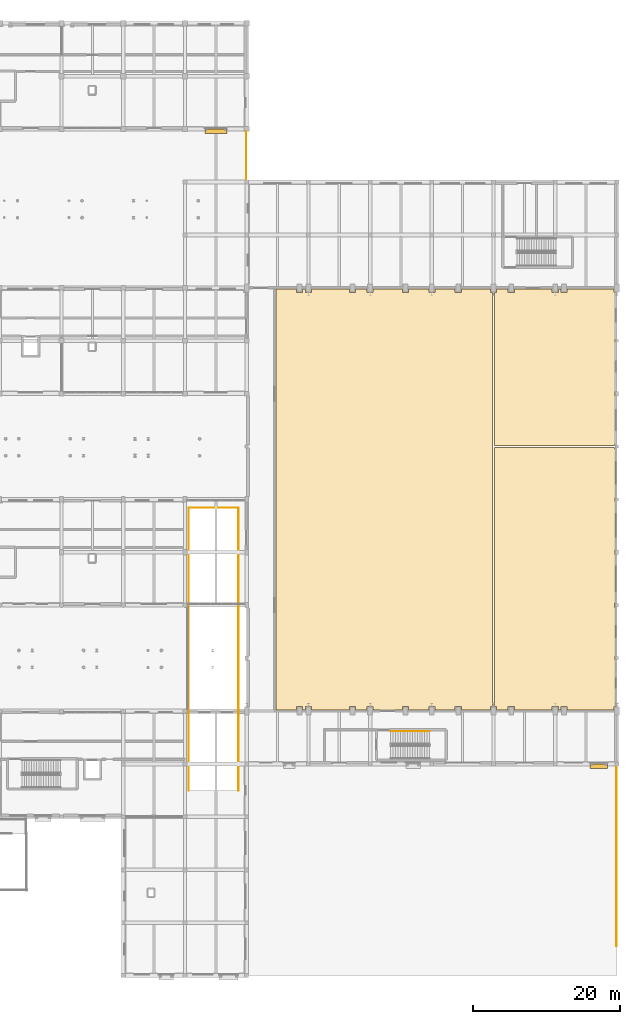
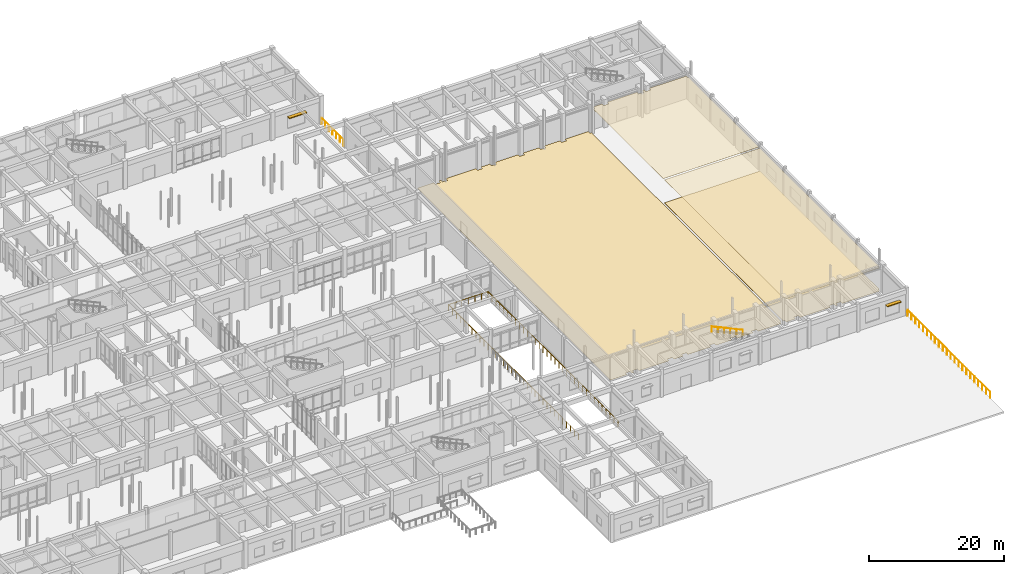
# One storey, part 118 of 121: 4 coverings, 4 railings, 2 shading devices.
"""IFC4 building model written with IfcOpenShell, lengths in metres."""

from ifc_helpers import new_model, si_unit, direction, frame, origin, origin_2d, place, context, subcontext, project, spatial, polyline, rectangle, circle, outline, extrude, material, layer, layer_set, type_object, element, save


model = new_model("IFC4")

# Units and contexts
model_context = context("Model", 3, precision=1e-05, world=origin(), true_north=direction((0.0, 1.0)))
body_context = subcontext(model_context, "Body", "Model", "MODEL_VIEW")
ifc_project = project(units=[si_unit("LENGTHUNIT", "METRE"), si_unit("AREAUNIT", "SQUARE_METRE"), si_unit("VOLUMEUNIT", "CUBIC_METRE"), si_unit("PLANEANGLEUNIT", "RADIAN"), si_unit("MASSUNIT", "GRAM", prefix="KILO")], contexts=[model_context])

# Site, building, storey
site_placement = place(None, origin())
site = spatial("IfcSite", under=ifc_project, at=site_placement, CompositionType="ELEMENT")
building_placement = place(site_placement, origin())
building = spatial("IfcBuilding", under=site, at=building_placement, Name="Malvenik Polytechnic", CompositionType="ELEMENT")
storey_placement = place(building_placement, origin())
storey = spatial("IfcBuildingStorey", under=building, at=storey_placement, Name="L00", CompositionType="ELEMENT", Elevation=0.0)

# Coverings
ifc_material_1 = material(Name="Perforated mineral-fibre acoustic suspended ceiling 600x600", Category="gypsum")
ifc_layer_1 = layer(ifc_material_1, 0.02490234375)
ifc_layer_set_1 = layer_set([ifc_layer_1], Name="Perforated mineral-fibre acoustic suspended ceiling 600x600")
covering_type_1 = type_object("IfcCoveringType", Name="ARC-COV-CEIL-AC", PredefinedType="CEILING", material=ifc_layer_set_1)
covering_1_placement = place(storey_placement, frame((0.0, 0.0, 4.1650390625)))
element("IfcCovering", 1, at=covering_1_placement, inside=storey, type_object=covering_type_1, Name="Acoustic Ceiling L00 High-Bay Structural Frame Testing Hall", PredefinedType="CEILING", context=body_context, shape_type="SweptSolid", body=[
    extrude(outline(polyline([(184.485107421875, 71.68505859375), (184.580078125, 71.68505859375), (184.580078125, 65.090087890625), (184.510009765625, 65.090087890625), (184.510009765625, 64.510009765625), (184.580078125, 64.510009765625), (184.580078125, 57.989990234375), (184.510009765625, 57.989990234375), (184.510009765625, 57.2099609375), (184.580078125, 57.2099609375), (184.580078125, 50.715087890625), (184.485107421875, 50.715087890625), (184.485107421875, 50.0849609375), (184.580078125, 50.0849609375), (184.580078125, 43.489990234375), (184.510009765625, 43.489990234375), (184.510009765625, 42.909912109375), (184.580078125, 42.909912109375), (184.580078125, 36.639892578125), (184.385009765625, 36.639892578125), (184.385009765625, 36.159912109375), (178.014892578125, 36.159912109375), (178.014892578125, 36.639892578125), (177.18505859375, 36.639892578125), (177.18505859375, 36.159912109375), (176.81494140625, 36.159912109375), (176.81494140625, 36.639892578125), (175.985107421875, 36.639892578125), (175.985107421875, 36.159912109375), (170.81494140625, 36.159912109375), (170.81494140625, 36.639892578125), (169.985107421875, 36.639892578125), (169.985107421875, 36.159912109375), (168.4150390625, 36.159912109375), (168.4150390625, 36.639892578125), (168.159912109375, 36.639892578125), (168.159912109375, 71.840087890625), (184.485107421875, 71.840087890625), (184.485107421875, 71.68505859375)])), origin(), (0.0, 0.0, 1.0), 0.02490234375),
])
covering_2_placement = place(storey_placement, frame((0.0, 0.0, 4.1650390625)))
element("IfcCovering", 2, at=covering_2_placement, inside=storey, type_object=covering_type_1, Name="Acoustic Ceiling L00 Heavy Delivery Loading Dock", PredefinedType="CEILING", context=body_context, shape_type="SweptSolid", body=[
    extrude(outline(polyline([(169.985107421875, 92.9599609375), (170.81494140625, 92.9599609375), (170.81494140625, 93.43994140625), (175.985107421875, 93.43994140625), (175.985107421875, 92.9599609375), (176.81494140625, 92.9599609375), (176.81494140625, 93.43994140625), (177.18505859375, 93.43994140625), (177.18505859375, 92.9599609375), (178.014892578125, 92.9599609375), (178.014892578125, 93.43994140625), (184.385009765625, 93.43994140625), (184.385009765625, 92.9599609375), (184.580078125, 92.9599609375), (184.580078125, 86.68994140625), (184.510009765625, 86.68994140625), (184.510009765625, 86.110107421875), (184.580078125, 86.110107421875), (184.580078125, 79.590087890625), (184.510009765625, 79.590087890625), (184.510009765625, 78.81005859375), (184.580078125, 78.81005859375), (184.580078125, 72.31494140625), (184.485107421875, 72.31494140625), (184.485107421875, 72.159912109375), (168.159912109375, 72.159912109375), (168.159912109375, 92.9599609375), (168.4150390625, 92.9599609375), (168.4150390625, 93.43994140625), (169.985107421875, 93.43994140625), (169.985107421875, 92.9599609375)])), origin(), (0.0, 0.0, 1.0), 0.02490234375),
])
ifc_material_2 = material(Name="Polished Danube aggregate terrazzo flooring 20mm", Category="stone")
ifc_layer_2 = layer(ifc_material_2, 0.02001953125)
ifc_layer_set_2 = layer_set([ifc_layer_2], Name="Polished Danube aggregate terrazzo flooring 20mm")
covering_type_2 = type_object("IfcCoveringType", Name="ARC-COV-FLR-TER", PredefinedType="FLOORING", material=ifc_layer_set_2)
covering_3_placement = place(storey_placement, origin())
element("IfcCovering", 3, at=covering_3_placement, inside=storey, type_object=covering_type_2, Name="Floor Finish FLR-01 L00 Heavy Machining and CNC Crane Workshop Hall", PredefinedType="FLOORING", context=body_context, shape_type="SweptSolid", body=[
    extrude(outline(polyline([(141.18505859375, 92.9599609375), (142.014892578125, 92.9599609375), (142.014892578125, 93.43994140625), (142.385009765625, 93.43994140625), (142.385009765625, 92.9599609375), (143.215087890625, 92.9599609375), (143.215087890625, 93.43994140625), (148.385009765625, 93.43994140625), (148.385009765625, 92.9599609375), (149.215087890625, 92.9599609375), (149.215087890625, 93.43994140625), (150.784912109375, 93.43994140625), (150.784912109375, 92.9599609375), (151.614990234375, 92.9599609375), (151.614990234375, 93.43994140625), (155.5849609375, 93.43994140625), (155.5849609375, 92.9599609375), (156.4150390625, 92.9599609375), (156.4150390625, 93.43994140625), (159.18505859375, 93.43994140625), (159.18505859375, 92.9599609375), (160.014892578125, 92.9599609375), (160.014892578125, 93.43994140625), (162.784912109375, 93.43994140625), (162.784912109375, 92.9599609375), (163.614990234375, 92.9599609375), (163.614990234375, 93.43994140625), (167.5849609375, 93.43994140625), (167.5849609375, 92.9599609375), (167.840087890625, 92.9599609375), (167.840087890625, 36.639892578125), (167.5849609375, 36.639892578125), (167.5849609375, 36.159912109375), (163.614990234375, 36.159912109375), (163.614990234375, 36.639892578125), (162.784912109375, 36.639892578125), (162.784912109375, 36.159912109375), (160.014892578125, 36.159912109375), (160.014892578125, 36.639892578125), (159.18505859375, 36.639892578125), (159.18505859375, 36.159912109375), (156.4150390625, 36.159912109375), (156.4150390625, 36.639892578125), (155.5849609375, 36.639892578125), (155.5849609375, 36.159912109375), (151.614990234375, 36.159912109375), (151.614990234375, 36.639892578125), (150.784912109375, 36.639892578125), (150.784912109375, 36.159912109375), (149.215087890625, 36.159912109375), (149.215087890625, 36.639892578125), (148.385009765625, 36.639892578125), (148.385009765625, 36.159912109375), (143.215087890625, 36.159912109375), (143.215087890625, 36.639892578125), (142.385009765625, 36.639892578125), (142.385009765625, 36.159912109375), (142.014892578125, 36.159912109375), (142.014892578125, 36.639892578125), (141.18505859375, 36.639892578125), (141.18505859375, 36.159912109375), (138.360107421875, 36.159912109375), (138.360107421875, 93.43994140625), (141.18505859375, 93.43994140625), (141.18505859375, 92.9599609375)])), origin(), (0.0, 0.0, 1.0), 0.02001953125),
])
covering_4_placement = place(storey_placement, origin())
element("IfcCovering", 4, at=covering_4_placement, inside=storey, type_object=covering_type_2, Name="Floor Finish FLR-01 L00 High-Bay Structural Frame Testing Hall", PredefinedType="FLOORING", context=body_context, shape_type="SweptSolid", body=[
    extrude(outline(polyline([(184.485107421875, 71.68505859375), (184.580078125, 71.68505859375), (184.580078125, 65.090087890625), (184.510009765625, 65.090087890625), (184.510009765625, 64.510009765625), (184.580078125, 64.510009765625), (184.580078125, 57.989990234375), (184.510009765625, 57.989990234375), (184.510009765625, 57.2099609375), (184.580078125, 57.2099609375), (184.580078125, 50.715087890625), (184.485107421875, 50.715087890625), (184.485107421875, 50.0849609375), (184.580078125, 50.0849609375), (184.580078125, 43.489990234375), (184.510009765625, 43.489990234375), (184.510009765625, 42.909912109375), (184.580078125, 42.909912109375), (184.580078125, 36.639892578125), (184.385009765625, 36.639892578125), (184.385009765625, 36.159912109375), (178.014892578125, 36.159912109375), (178.014892578125, 36.639892578125), (177.18505859375, 36.639892578125), (177.18505859375, 36.159912109375), (176.81494140625, 36.159912109375), (176.81494140625, 36.639892578125), (175.985107421875, 36.639892578125), (175.985107421875, 36.159912109375), (170.81494140625, 36.159912109375), (170.81494140625, 36.639892578125), (169.985107421875, 36.639892578125), (169.985107421875, 36.159912109375), (168.4150390625, 36.159912109375), (168.4150390625, 36.639892578125), (168.159912109375, 36.639892578125), (168.159912109375, 71.840087890625), (184.485107421875, 71.840087890625), (184.485107421875, 71.68505859375)])), origin(), (0.0, 0.0, 1.0), 0.02001953125),
])

# Railings
ifc_material_3 = material(Name="Galvanised powder-coated steel and laminated glass guard 1150mm", Category="steel")
ifc_layer_3 = layer(ifc_material_3, 0.070068359375)
ifc_layer_set_3 = layer_set([ifc_layer_3], Name="Galvanised powder-coated steel and laminated glass guard 1150mm")
railing_type_1 = type_object("IfcRailingType", Name="ARC-RL-BAL-1150", PredefinedType="BALUSTRADE", material=ifc_layer_set_3)
railing_1_placement = place(storey_placement, frame((126.52001953125, 25.199951171875, 0.0)))
element("IfcRailing", 5, at=railing_1_placement, inside=storey, type_object=railing_type_1, Name="Vehicle Ramp Opening Perimeter Guard", PredefinedType="BALUSTRADE", context=body_context, shape_type="SweptSolid", body=[
    extrude(circle(Radius=0.02392578125, at=origin_2d()), frame((0.0, 0.0, 1.1259765625), z_axis=(0.0, 1.0, 0.0), x_axis=(-1.0, 0.0, 0.0)), (0.0, 0.0, 1.0), 38.47998046875),
    extrude(circle(Radius=0.02392578125, at=origin_2d()), frame((0.0, 38.47998046875, 1.1259765625), z_axis=(1.0, 0.0, 0.0), x_axis=(0.0, 1.0, 0.0)), (0.0, 0.0, 1.0), 6.760009765625),
    extrude(circle(Radius=0.02392578125, at=origin_2d()), frame((6.760009765625, 38.47998046875, 1.1259765625), z_axis=(0.0, -1.0, 0.0), x_axis=(1.0, 0.0, 0.0)), (0.0, 0.0, 1.0), 38.47998046875),
    extrude(circle(Radius=0.02099609375, at=origin_2d()), origin(), (0.0, 0.0, 1.0), 1.101806640625),
    extrude(circle(Radius=0.02099609375, at=origin_2d()), frame((0.0, 1.166015625, 0.0)), (0.0, 0.0, 1.0), 1.101806640625),
    extrude(circle(Radius=0.02099609375, at=origin_2d()), frame((0.0, 2.33203125, 0.0)), (0.0, 0.0, 1.0), 1.101806640625),
    extrude(circle(Radius=0.02099609375, at=origin_2d()), frame((0.0, 3.498291015625, 0.0)), (0.0, 0.0, 1.0), 1.101806640625),
    extrude(circle(Radius=0.02099609375, at=origin_2d()), frame((0.0, 4.664306640625, 0.0)), (0.0, 0.0, 1.0), 1.101806640625),
    extrude(circle(Radius=0.02099609375, at=origin_2d()), frame((0.0, 5.830322265625, 0.0)), (0.0, 0.0, 1.0), 1.101806640625),
    extrude(circle(Radius=0.02099609375, at=origin_2d()), frame((0.0, 6.996337890625, 0.0)), (0.0, 0.0, 1.0), 1.101806640625),
    extrude(circle(Radius=0.02099609375, at=origin_2d()), frame((0.0, 8.162353515625, 0.0)), (0.0, 0.0, 1.0), 1.101806640625),
    extrude(circle(Radius=0.02099609375, at=origin_2d()), frame((0.0, 9.328369140625, 0.0)), (0.0, 0.0, 1.0), 1.101806640625),
    extrude(circle(Radius=0.02099609375, at=origin_2d()), frame((0.0, 10.49462890625, 0.0)), (0.0, 0.0, 1.0), 1.101806640625),
    extrude(circle(Radius=0.02099609375, at=origin_2d()), frame((0.0, 11.66064453125, 0.0)), (0.0, 0.0, 1.0), 1.101806640625),
    extrude(circle(Radius=0.02099609375, at=origin_2d()), frame((0.0, 12.82666015625, 0.0)), (0.0, 0.0, 1.0), 1.101806640625),
    extrude(circle(Radius=0.02099609375, at=origin_2d()), frame((0.0, 13.99267578125, 0.0)), (0.0, 0.0, 1.0), 1.101806640625),
    extrude(circle(Radius=0.02099609375, at=origin_2d()), frame((0.0, 15.15869140625, 0.0)), (0.0, 0.0, 1.0), 1.101806640625),
    extrude(circle(Radius=0.02099609375, at=origin_2d()), frame((0.0, 16.324951171875, 0.0)), (0.0, 0.0, 1.0), 1.101806640625),
    extrude(circle(Radius=0.02099609375, at=origin_2d()), frame((0.0, 17.490966796875, 0.0)), (0.0, 0.0, 1.0), 1.101806640625),
    extrude(circle(Radius=0.02099609375, at=origin_2d()), frame((0.0, 18.656982421875, 0.0)), (0.0, 0.0, 1.0), 1.101806640625),
    extrude(circle(Radius=0.02099609375, at=origin_2d()), frame((0.0, 19.822998046875, 0.0)), (0.0, 0.0, 1.0), 1.101806640625),
    extrude(circle(Radius=0.02099609375, at=origin_2d()), frame((0.0, 20.989013671875, 0.0)), (0.0, 0.0, 1.0), 1.101806640625),
    extrude(circle(Radius=0.02099609375, at=origin_2d()), frame((0.0, 22.155029296875, 0.0)), (0.0, 0.0, 1.0), 1.101806640625),
    extrude(circle(Radius=0.02099609375, at=origin_2d()), frame((0.0, 23.3212890625, 0.0)), (0.0, 0.0, 1.0), 1.101806640625),
    extrude(circle(Radius=0.02099609375, at=origin_2d()), frame((0.0, 24.4873046875, 0.0)), (0.0, 0.0, 1.0), 1.101806640625),
    extrude(circle(Radius=0.02099609375, at=origin_2d()), frame((0.0, 25.6533203125, 0.0)), (0.0, 0.0, 1.0), 1.101806640625),
    extrude(circle(Radius=0.02099609375, at=origin_2d()), frame((0.0, 26.8193359375, 0.0)), (0.0, 0.0, 1.0), 1.101806640625),
    extrude(circle(Radius=0.02099609375, at=origin_2d()), frame((0.0, 27.9853515625, 0.0)), (0.0, 0.0, 1.0), 1.101806640625),
    extrude(circle(Radius=0.02099609375, at=origin_2d()), frame((0.0, 29.151611328125, 0.0)), (0.0, 0.0, 1.0), 1.101806640625),
    extrude(circle(Radius=0.02099609375, at=origin_2d()), frame((0.0, 30.317626953125, 0.0)), (0.0, 0.0, 1.0), 1.101806640625),
    extrude(circle(Radius=0.02099609375, at=origin_2d()), frame((0.0, 31.483642578125, 0.0)), (0.0, 0.0, 1.0), 1.101806640625),
    extrude(circle(Radius=0.02099609375, at=origin_2d()), frame((0.0, 32.649658203125, 0.0)), (0.0, 0.0, 1.0), 1.101806640625),
    extrude(circle(Radius=0.02099609375, at=origin_2d()), frame((0.0, 33.815673828125, 0.0)), (0.0, 0.0, 1.0), 1.101806640625),
    extrude(circle(Radius=0.02099609375, at=origin_2d()), frame((0.0, 34.981689453125, 0.0)), (0.0, 0.0, 1.0), 1.101806640625),
    extrude(circle(Radius=0.02099609375, at=origin_2d()), frame((0.0, 36.14794921875, 0.0)), (0.0, 0.0, 1.0), 1.101806640625),
    extrude(circle(Radius=0.02099609375, at=origin_2d()), frame((0.0, 37.31396484375, 0.0)), (0.0, 0.0, 1.0), 1.101806640625),
    extrude(circle(Radius=0.02099609375, at=origin_2d()), frame((0.0, 38.47998046875, 0.0)), (0.0, 0.0, 1.0), 1.101806640625),
    extrude(circle(Radius=0.02099609375, at=origin_2d()), frame((1.126708984375, 38.47998046875, 0.0)), (0.0, 0.0, 1.0), 1.101806640625),
    extrude(circle(Radius=0.02099609375, at=origin_2d()), frame((2.25341796875, 38.47998046875, 0.0)), (0.0, 0.0, 1.0), 1.101806640625),
    extrude(circle(Radius=0.02099609375, at=origin_2d()), frame((3.3798828125, 38.47998046875, 0.0)), (0.0, 0.0, 1.0), 1.101806640625),
    extrude(circle(Radius=0.02099609375, at=origin_2d()), frame((4.506591796875, 38.47998046875, 0.0)), (0.0, 0.0, 1.0), 1.101806640625),
    extrude(circle(Radius=0.02099609375, at=origin_2d()), frame((5.63330078125, 38.47998046875, 0.0)), (0.0, 0.0, 1.0), 1.101806640625),
    extrude(circle(Radius=0.02099609375, at=origin_2d()), frame((6.760009765625, 38.47998046875, 0.0)), (0.0, 0.0, 1.0), 1.101806640625),
    extrude(circle(Radius=0.02099609375, at=origin_2d()), frame((6.760009765625, 37.31396484375, 0.0)), (0.0, 0.0, 1.0), 1.101806640625),
    extrude(circle(Radius=0.02099609375, at=origin_2d()), frame((6.760009765625, 36.14794921875, 0.0)), (0.0, 0.0, 1.0), 1.101806640625),
    extrude(circle(Radius=0.02099609375, at=origin_2d()), frame((6.760009765625, 34.981689453125, 0.0)), (0.0, 0.0, 1.0), 1.101806640625),
    extrude(circle(Radius=0.02099609375, at=origin_2d()), frame((6.760009765625, 33.815673828125, 0.0)), (0.0, 0.0, 1.0), 1.101806640625),
    extrude(circle(Radius=0.02099609375, at=origin_2d()), frame((6.760009765625, 32.649658203125, 0.0)), (0.0, 0.0, 1.0), 1.101806640625),
    extrude(circle(Radius=0.02099609375, at=origin_2d()), frame((6.760009765625, 31.483642578125, 0.0)), (0.0, 0.0, 1.0), 1.101806640625),
    extrude(circle(Radius=0.02099609375, at=origin_2d()), frame((6.760009765625, 30.317626953125, 0.0)), (0.0, 0.0, 1.0), 1.101806640625),
    extrude(circle(Radius=0.02099609375, at=origin_2d()), frame((6.760009765625, 29.151611328125, 0.0)), (0.0, 0.0, 1.0), 1.101806640625),
    extrude(circle(Radius=0.02099609375, at=origin_2d()), frame((6.760009765625, 27.9853515625, 0.0)), (0.0, 0.0, 1.0), 1.101806640625),
    extrude(circle(Radius=0.02099609375, at=origin_2d()), frame((6.760009765625, 26.8193359375, 0.0)), (0.0, 0.0, 1.0), 1.101806640625),
    extrude(circle(Radius=0.02099609375, at=origin_2d()), frame((6.760009765625, 25.6533203125, 0.0)), (0.0, 0.0, 1.0), 1.101806640625),
    extrude(circle(Radius=0.02099609375, at=origin_2d()), frame((6.760009765625, 24.4873046875, 0.0)), (0.0, 0.0, 1.0), 1.101806640625),
    extrude(circle(Radius=0.02099609375, at=origin_2d()), frame((6.760009765625, 23.3212890625, 0.0)), (0.0, 0.0, 1.0), 1.101806640625),
    extrude(circle(Radius=0.02099609375, at=origin_2d()), frame((6.760009765625, 22.155029296875, 0.0)), (0.0, 0.0, 1.0), 1.101806640625),
    extrude(circle(Radius=0.02099609375, at=origin_2d()), frame((6.760009765625, 20.989013671875, 0.0)), (0.0, 0.0, 1.0), 1.101806640625),
    extrude(circle(Radius=0.02099609375, at=origin_2d()), frame((6.760009765625, 19.822998046875, 0.0)), (0.0, 0.0, 1.0), 1.101806640625),
    extrude(circle(Radius=0.02099609375, at=origin_2d()), frame((6.760009765625, 18.656982421875, 0.0)), (0.0, 0.0, 1.0), 1.101806640625),
    extrude(circle(Radius=0.02099609375, at=origin_2d()), frame((6.760009765625, 17.490966796875, 0.0)), (0.0, 0.0, 1.0), 1.101806640625),
    extrude(circle(Radius=0.02099609375, at=origin_2d()), frame((6.760009765625, 16.324951171875, 0.0)), (0.0, 0.0, 1.0), 1.101806640625),
    extrude(circle(Radius=0.02099609375, at=origin_2d()), frame((6.760009765625, 15.15869140625, 0.0)), (0.0, 0.0, 1.0), 1.101806640625),
    extrude(circle(Radius=0.02099609375, at=origin_2d()), frame((6.760009765625, 13.99267578125, 0.0)), (0.0, 0.0, 1.0), 1.101806640625),
    extrude(circle(Radius=0.02099609375, at=origin_2d()), frame((6.760009765625, 12.82666015625, 0.0)), (0.0, 0.0, 1.0), 1.101806640625),
    extrude(circle(Radius=0.02099609375, at=origin_2d()), frame((6.760009765625, 11.66064453125, 0.0)), (0.0, 0.0, 1.0), 1.101806640625),
    extrude(circle(Radius=0.02099609375, at=origin_2d()), frame((6.760009765625, 10.49462890625, 0.0)), (0.0, 0.0, 1.0), 1.101806640625),
    extrude(circle(Radius=0.02099609375, at=origin_2d()), frame((6.760009765625, 9.328369140625, 0.0)), (0.0, 0.0, 1.0), 1.101806640625),
    extrude(circle(Radius=0.02099609375, at=origin_2d()), frame((6.760009765625, 8.162353515625, 0.0)), (0.0, 0.0, 1.0), 1.101806640625),
    extrude(circle(Radius=0.02099609375, at=origin_2d()), frame((6.760009765625, 6.996337890625, 0.0)), (0.0, 0.0, 1.0), 1.101806640625),
    extrude(circle(Radius=0.02099609375, at=origin_2d()), frame((6.760009765625, 5.830322265625, 0.0)), (0.0, 0.0, 1.0), 1.101806640625),
    extrude(circle(Radius=0.02099609375, at=origin_2d()), frame((6.760009765625, 4.664306640625, 0.0)), (0.0, 0.0, 1.0), 1.101806640625),
    extrude(circle(Radius=0.02099609375, at=origin_2d()), frame((6.760009765625, 3.498291015625, 0.0)), (0.0, 0.0, 1.0), 1.101806640625),
    extrude(circle(Radius=0.02099609375, at=origin_2d()), frame((6.760009765625, 2.33203125, 0.0)), (0.0, 0.0, 1.0), 1.101806640625),
    extrude(circle(Radius=0.02099609375, at=origin_2d()), frame((6.760009765625, 1.166015625, 0.0)), (0.0, 0.0, 1.0), 1.101806640625),
    extrude(circle(Radius=0.02099609375, at=origin_2d()), frame((6.760009765625, 0.0, 0.0)), (0.0, 0.0, 1.0), 1.101806640625),
])
railing_2_placement = place(storey_placement, frame((184.739990234375, 28.47998046875, 0.0)))
element("IfcRailing", 6, at=railing_2_placement, inside=storey, type_object=railing_type_1, Name="Terrace Perimeter Balustrade L00 #1", PredefinedType="BALUSTRADE", context=body_context, shape_type="SweptSolid", body=[
    extrude(circle(Radius=0.02392578125, at=origin_2d()), frame((0.0, 0.0, 1.1259765625), z_axis=(0.0, -1.0, 0.0), x_axis=(1.0, 0.0, 0.0)), (0.0, 0.0, 1.0), 24.47998046875),
    extrude(circle(Radius=0.02099609375, at=origin_2d()), origin(), (0.0, 0.0, 1.0), 1.101806640625),
    extrude(circle(Radius=0.02099609375, at=origin_2d()), frame((0.0, -1.165771484375, 0.0)), (0.0, 0.0, 1.0), 1.101806640625),
    extrude(circle(Radius=0.02099609375, at=origin_2d()), frame((0.0, -2.33154296875, 0.0)), (0.0, 0.0, 1.0), 1.101806640625),
    extrude(circle(Radius=0.02099609375, at=origin_2d()), frame((0.0, -3.4970703125, 0.0)), (0.0, 0.0, 1.0), 1.101806640625),
    extrude(circle(Radius=0.02099609375, at=origin_2d()), frame((0.0, -4.662841796875, 0.0)), (0.0, 0.0, 1.0), 1.101806640625),
    extrude(circle(Radius=0.02099609375, at=origin_2d()), frame((0.0, -5.82861328125, 0.0)), (0.0, 0.0, 1.0), 1.101806640625),
    extrude(circle(Radius=0.02099609375, at=origin_2d()), frame((0.0, -6.994384765625, 0.0)), (0.0, 0.0, 1.0), 1.101806640625),
    extrude(circle(Radius=0.02099609375, at=origin_2d()), frame((0.0, -8.159912109375, 0.0)), (0.0, 0.0, 1.0), 1.101806640625),
    extrude(circle(Radius=0.02099609375, at=origin_2d()), frame((0.0, -9.32568359375, 0.0)), (0.0, 0.0, 1.0), 1.101806640625),
    extrude(circle(Radius=0.02099609375, at=origin_2d()), frame((0.0, -10.491455078125, 0.0)), (0.0, 0.0, 1.0), 1.101806640625),
    extrude(circle(Radius=0.02099609375, at=origin_2d()), frame((0.0, -11.6572265625, 0.0)), (0.0, 0.0, 1.0), 1.101806640625),
    extrude(circle(Radius=0.02099609375, at=origin_2d()), frame((0.0, -12.82275390625, 0.0)), (0.0, 0.0, 1.0), 1.101806640625),
    extrude(circle(Radius=0.02099609375, at=origin_2d()), frame((0.0, -13.988525390625, 0.0)), (0.0, 0.0, 1.0), 1.101806640625),
    extrude(circle(Radius=0.02099609375, at=origin_2d()), frame((0.0, -15.154296875, 0.0)), (0.0, 0.0, 1.0), 1.101806640625),
    extrude(circle(Radius=0.02099609375, at=origin_2d()), frame((0.0, -16.320068359375, 0.0)), (0.0, 0.0, 1.0), 1.101806640625),
    extrude(circle(Radius=0.02099609375, at=origin_2d()), frame((0.0, -17.485595703125, 0.0)), (0.0, 0.0, 1.0), 1.101806640625),
    extrude(circle(Radius=0.02099609375, at=origin_2d()), frame((0.0, -18.6513671875, 0.0)), (0.0, 0.0, 1.0), 1.101806640625),
    extrude(circle(Radius=0.02099609375, at=origin_2d()), frame((0.0, -19.817138671875, 0.0)), (0.0, 0.0, 1.0), 1.101806640625),
    extrude(circle(Radius=0.02099609375, at=origin_2d()), frame((0.0, -20.98291015625, 0.0)), (0.0, 0.0, 1.0), 1.101806640625),
    extrude(circle(Radius=0.02099609375, at=origin_2d()), frame((0.0, -22.1484375, 0.0)), (0.0, 0.0, 1.0), 1.101806640625),
    extrude(circle(Radius=0.02099609375, at=origin_2d()), frame((0.0, -23.314208984375, 0.0)), (0.0, 0.0, 1.0), 1.101806640625),
    extrude(circle(Radius=0.02099609375, at=origin_2d()), frame((0.0, -24.47998046875, 0.0)), (0.0, 0.0, 1.0), 1.101806640625),
])
railing_3_placement = place(storey_placement, frame((134.340087890625, 114.8798828125, 0.0)))
element("IfcRailing", 7, at=railing_3_placement, inside=storey, type_object=railing_type_1, Name="Terrace Perimeter Balustrade L00 #2", PredefinedType="BALUSTRADE", context=body_context, shape_type="SweptSolid", body=[
    extrude(circle(Radius=0.02392578125, at=origin_2d()), frame((0.0, 0.0, 1.1259765625), z_axis=(0.0, -1.0, 0.0), x_axis=(1.0, 0.0, 0.0)), (0.0, 0.0, 1.0), 6.565673828125),
    extrude(circle(Radius=0.02099609375, at=origin_2d()), origin(), (0.0, 0.0, 1.0), 1.101806640625),
    extrude(circle(Radius=0.02099609375, at=origin_2d()), frame((0.0, -1.09423828125, 0.0)), (0.0, 0.0, 1.0), 1.101806640625),
    extrude(circle(Radius=0.02099609375, at=origin_2d()), frame((0.0, -2.1884765625, 0.0)), (0.0, 0.0, 1.0), 1.101806640625),
    extrude(circle(Radius=0.02099609375, at=origin_2d()), frame((0.0, -3.28271484375, 0.0)), (0.0, 0.0, 1.0), 1.101806640625),
    extrude(circle(Radius=0.02099609375, at=origin_2d()), frame((0.0, -4.377197265625, 0.0)), (0.0, 0.0, 1.0), 1.101806640625),
    extrude(circle(Radius=0.02099609375, at=origin_2d()), frame((0.0, -5.471435546875, 0.0)), (0.0, 0.0, 1.0), 1.101806640625),
    extrude(circle(Radius=0.02099609375, at=origin_2d()), frame((0.0, -6.565673828125, 0.0)), (0.0, 0.0, 1.0), 1.101806640625),
])
ifc_material_4 = material(Name="Brushed stainless steel 1.4301 stair wall handrail", Category="steel")
ifc_layer_4 = layer(ifc_material_4, 0.044921875)
ifc_layer_set_4 = layer_set([ifc_layer_4], Name="Brushed stainless steel 1.4301 stair wall handrail")
railing_type_2 = type_object("IfcRailingType", Name="ARC-RL-STHR", PredefinedType="HANDRAIL", material=ifc_layer_set_4)
railing_4_placement = place(storey_placement, frame((159.280029296875, 33.25, 2.699951171875)))
element("IfcRailing", 8, at=railing_4_placement, inside=storey, type_object=railing_type_2, Name="L00 ST-13 stair handrail 2", PredefinedType="HANDRAIL", context=body_context, shape_type="SweptSolid", body=[
    extrude(circle(Radius=0.02392578125, at=origin_2d()), frame((0.0, 0.0, 0.8759765625), z_axis=(-0.910357827898, 0.0, 0.413821972815), x_axis=(0.0, -1.0, 0.0)), (0.0, 0.0, 1.0), 5.800048828125),
    extrude(circle(Radius=0.02099609375, at=origin_2d()), origin(), (0.0, 0.0, 1.0), 0.851806640625),
    extrude(circle(Radius=0.02099609375, at=origin_2d()), frame((-1.055908203125, 0.0, 0.47998046875)), (0.0, 0.0, 1.0), 0.851806640625),
    extrude(circle(Radius=0.02099609375, at=origin_2d()), frame((-2.112060546875, 0.0, 0.9599609375)), (0.0, 0.0, 1.0), 0.851806640625),
    extrude(circle(Radius=0.02099609375, at=origin_2d()), frame((-3.16796875, 0.0, 1.440185546875)), (0.0, 0.0, 1.0), 0.851806640625),
    extrude(circle(Radius=0.02099609375, at=origin_2d()), frame((-4.22412109375, 0.0, 1.920166015625)), (0.0, 0.0, 1.0), 0.851806640625),
    extrude(circle(Radius=0.02099609375, at=origin_2d()), frame((-5.280029296875, 0.0, 2.400146484375)), (0.0, 0.0, 1.0), 0.851806640625),
])

# Shading devices
ifc_material_5 = material(Name="Extruded anodised aluminium solar brise-soleil louvre", Category="aluminium")
shading_device_type = type_object("IfcShadingDeviceType", Name="ARC-SHD-LOUVRE", PredefinedType="JALOUSIE", material=ifc_material_5)
shading_device_1_placement = place(storey_placement, frame((130.199951171875, 114.89990234375, 3.06005859375), z_axis=(0.0, 0.0, 1.0), x_axis=(1.0, 0.0, 0.0)))
element("IfcShadingDevice", 9, at=shading_device_1_placement, inside=storey, type_object=shading_device_type, Name="Solar Brise-Soleil Louvre SH-01 #14", PredefinedType="JALOUSIE", context=body_context, shape_type="SweptSolid", body=[
    extrude(rectangle(XDim=3.0, YDim=0.60009765625, at=origin_2d()), origin(), (0.0, 0.0, 1.0), 0.139892578125),
])
shading_device_2_placement = place(storey_placement, frame((182.3173828125, 28.5, 3.06005859375), z_axis=(0.0, 0.0, 1.0), x_axis=(1.0, 0.0, 0.0)))
element("IfcShadingDevice", 10, at=shading_device_2_placement, inside=storey, type_object=shading_device_type, Name="Solar Brise-Soleil Louvre SH-01 #15", PredefinedType="JALOUSIE", context=body_context, shape_type="SweptSolid", body=[
    extrude(rectangle(XDim=2.39990234375, YDim=0.60009765625, at=origin_2d()), origin(), (0.0, 0.0, 1.0), 0.139892578125),
])

save(model, "model.ifc")
